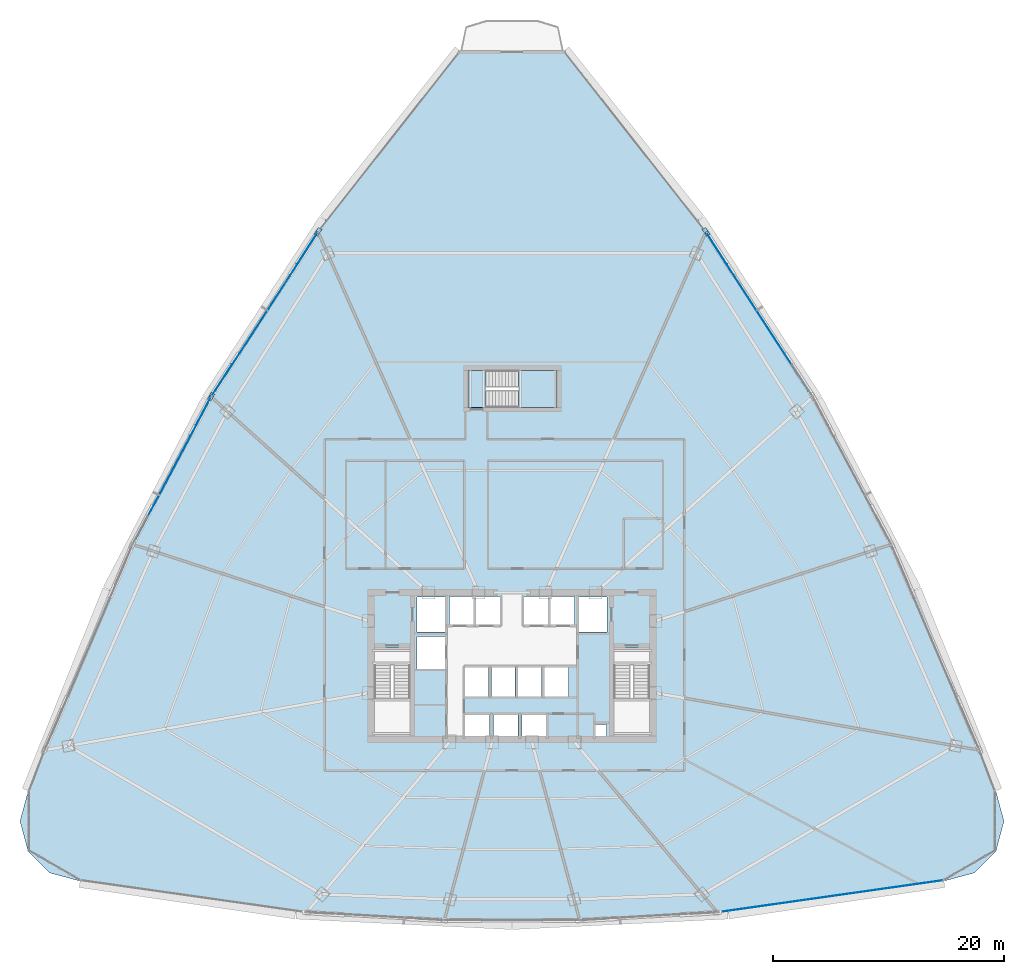
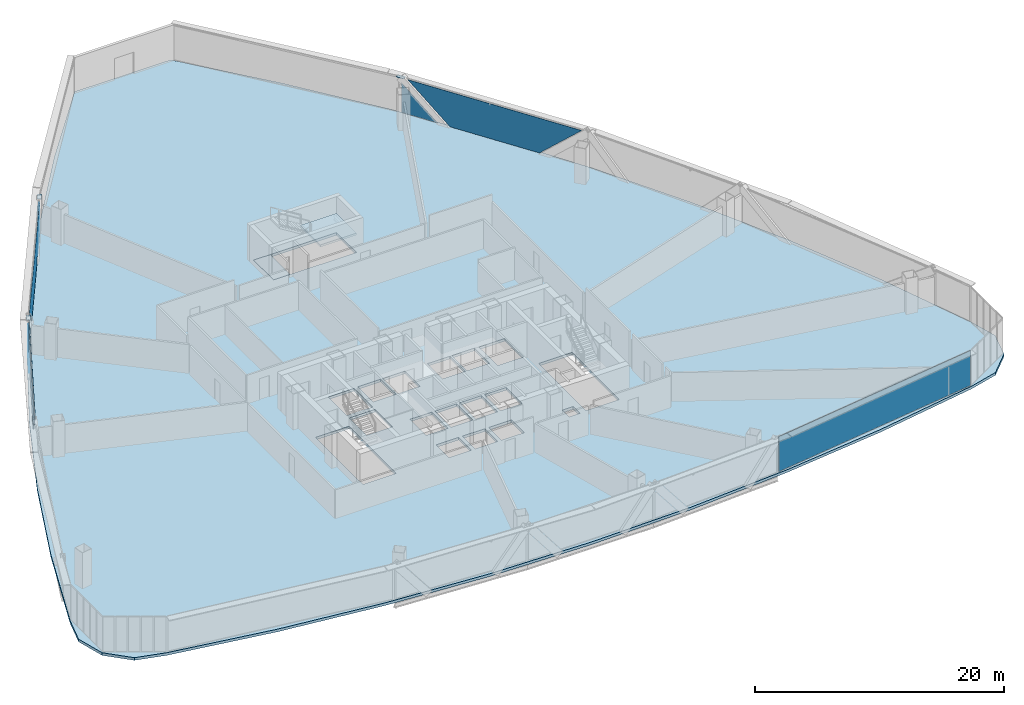
# One storey, part 29 of 39: 11 plates, 3 slabs, 5 elements without a shape of their own.
"""IFC4 building model written with IfcOpenShell, lengths in metres."""

from ifc_helpers import new_model, si_unit, direction, frame, origin, origin_2d, place, context, subcontext, project, spatial, polyline, rectangle, outline, extrude, source, transform, mapped, material, layer, layer_set, type_object, element, aggregate, save


model = new_model("IFC4")

# Units and contexts
model_context = context("Model", 3, precision=1e-05, world=origin(), true_north=direction((0.0, 1.0)))
body_context = subcontext(model_context, "Body", "Model", "MODEL_VIEW")
ifc_project = project(units=[si_unit("LENGTHUNIT", "METRE"), si_unit("AREAUNIT", "SQUARE_METRE"), si_unit("VOLUMEUNIT", "CUBIC_METRE"), si_unit("PLANEANGLEUNIT", "RADIAN"), si_unit("MASSUNIT", "GRAM", prefix="KILO"), si_unit("THERMODYNAMICTEMPERATUREUNIT", "KELVIN"), si_unit("POWERUNIT", "WATT")], contexts=[model_context])

# Site, building, storey
site_placement = place(None, origin())
site = spatial("IfcSite", under=ifc_project, at=site_placement, CompositionType="ELEMENT")
building_placement = place(site_placement, origin())
building = spatial("IfcBuilding", under=site, at=building_placement, Name="Yunzhuo Pagoda Commons", CompositionType="ELEMENT")
storey_placement = place(building_placement, frame((0.0, 0.0, 92.580078125)))
storey = spatial("IfcBuildingStorey", under=building, at=storey_placement, Name="L23", CompositionType="ELEMENT", Elevation=92.580078125)

# Curtain wall, plates
ifc_material_1 = material(Name="Anodized aluminium 6063-T6", Category="aluminium")
ifc_layer_1 = layer(ifc_material_1, 0.1650390625)
ifc_layer_set_1 = layer_set([ifc_layer_1], Name="Anodized aluminium 6063-T6")
curtain_wall_type = type_object("IfcCurtainWallType", Name="CW-LOW Low-Zone Ribbon Curtain Wall", PredefinedType="NOTDEFINED", material=ifc_layer_set_1)
curtain_wall_1_placement = place(storey_placement, origin())
curtain_wall_1 = element("IfcCurtainWall", 1, at=curtain_wall_1_placement, inside=storey, type_object=curtain_wall_type, Name="L23 curtain wall CW-L23-F2B4", PredefinedType="NOTDEFINED")
ifc_material_2 = material(Name="Tempered low-e double glazing", Category="glass")
ifc_layer_2 = layer(ifc_material_2, 0.028076171875)
ifc_layer_set_2 = layer_set([ifc_layer_2], Name="Tempered low-e double glazing")
plate_type_1 = type_object("IfcPlateType", Name="CW-LOW-P Low-E Double Glazing 28", PredefinedType="CURTAIN_PANEL", material=ifc_layer_set_2)
plate_1_placement = place(storey_placement, frame((69.353515625, 64.219482421875, 1.77001953125), z_axis=(0.838972259493, 0.544174188841, 0.0), x_axis=(-0.544174188841, 0.838972259493, 0.0)))
plate_1 = element("IfcPlate", 2, at=plate_1_placement, type_object=plate_type_1, Name="CW panel 1.1 lite 2", PredefinedType="CURTAIN_PANEL", context=body_context, shape_type="SweptSolid", body=[
    extrude(outline(polyline([(-7.853515625, 1.7099609375), (-4.032958984375, -1.7099609375), (4.032958984375, -1.7099609375), (7.853515625, 1.7099609375), (-7.853515625, 1.7099609375)])), origin(), (0.0, 0.0, 1.0), 0.028076171875),
])
plate_2_placement = place(storey_placement, frame((65.678955078125, 69.93994140625, 1.515869140625), z_axis=(0.838972259493, 0.544174188841, 0.0), x_axis=(-0.544174188841, 0.838972259493, 0.0)))
plate_2 = element("IfcPlate", 3, at=plate_2_placement, type_object=plate_type_1, Name="CW panel 1.1 lite 3", PredefinedType="CURTAIN_PANEL", context=body_context, shape_type="SweptSolid", body=[
    extrude(outline(polyline([(-1.62646484375, -1.455810546875), (1.62646484375, -1.455810546875), (1.62646484375, 1.455810546875), (-1.62646484375, -1.455810546875)])), origin(), (0.0, 0.0, 1.0), 0.028076171875),
])
aggregate(curtain_wall_1, [plate_1, plate_2])

curtain_wall_2_placement = place(storey_placement, origin())
curtain_wall_2 = element("IfcCurtainWall", 4, at=curtain_wall_2_placement, inside=storey, type_object=curtain_wall_type, Name="L23 curtain wall CW-L23-F3B2", PredefinedType="NOTDEFINED")
plate_3_placement = place(storey_placement, frame((30.321044921875, 69.93994140625, 1.515869140625), z_axis=(-0.838972259493, 0.544174188841, 0.0), x_axis=(-0.544174188841, -0.838972259493, 0.0)))
plate_3 = element("IfcPlate", 5, at=plate_3_placement, type_object=plate_type_1, Name="CW panel 1.1 lite 1", PredefinedType="CURTAIN_PANEL", context=body_context, shape_type="SweptSolid", body=[
    extrude(outline(polyline([(-1.62646484375, -1.455810546875), (1.62646484375, -1.455810546875), (-1.62646484375, 1.455810546875), (-1.62646484375, -1.455810546875)])), origin(), (0.0, 0.0, 1.0), 0.028076171875),
])
plate_4_placement = place(storey_placement, frame((26.646484375, 64.219482421875, 1.77001953125), z_axis=(-0.838972259493, 0.544174188841, 0.0), x_axis=(-0.544174188841, -0.838972259493, 0.0)))
plate_4 = element("IfcPlate", 6, at=plate_4_placement, type_object=plate_type_1, Name="CW panel 1.1 lite 2", PredefinedType="CURTAIN_PANEL", context=body_context, shape_type="SweptSolid", body=[
    extrude(outline(polyline([(-7.853515625, 1.7099609375), (-4.032958984375, -1.7099609375), (4.032958984375, -1.7099609375), (7.853515625, 1.7099609375), (-7.853515625, 1.7099609375)])), origin(), (0.0, 0.0, 1.0), 0.028076171875),
])
plate_5_placement = place(storey_placement, frame((22.921630859375, 58.53173828125, 1.515869140625), z_axis=(-0.838972259493, 0.544174188841, 0.0), x_axis=(-0.544174188841, -0.838972259493, 0.0)))
plate_5 = element("IfcPlate", 7, at=plate_5_placement, type_object=plate_type_1, Name="CW panel 1.1 lite 3", PredefinedType="CURTAIN_PANEL", context=body_context, shape_type="SweptSolid", body=[
    extrude(outline(polyline([(-1.62646484375, -1.455810546875), (1.62646484375, -1.455810546875), (1.62646484375, 1.455810546875), (-1.62646484375, -1.455810546875)])), origin(), (0.0, 0.0, 1.0), 0.028076171875),
])
aggregate(curtain_wall_2, [plate_3, plate_4, plate_5])

curtain_wall_3_placement = place(storey_placement, origin())
curtain_wall_3 = element("IfcCurtainWall", 8, at=curtain_wall_3_placement, inside=storey, type_object=curtain_wall_type, Name="L23 curtain wall CW-L23-F3B3", PredefinedType="NOTDEFINED")
plate_6_placement = place(storey_placement, frame((21.332763671875, 55.855224609375, 1.489990234375), z_axis=(-0.882975865639, 0.469418385558, 0.0), x_axis=(-0.469418385558, -0.882975865639, 0.0)))
plate_6 = element("IfcPlate", 9, at=plate_6_placement, type_object=plate_type_1, Name="CW panel 1.1 lite 1", PredefinedType="CURTAIN_PANEL", context=body_context, shape_type="SweptSolid", body=[
    extrude(outline(polyline([(-1.360107421875, -1.43017578125), (1.360107421875, -1.43017578125), (-1.360107421875, 1.43017578125), (-1.360107421875, -1.43017578125)])), origin(), (0.0, 0.0, 1.0), 0.028076171875),
])
plate_7_placement = place(storey_placement, frame((18.63525390625, 50.717529296875, 1.77001953125), z_axis=(-0.882975865639, 0.469418385558, 0.0), x_axis=(-0.469418385558, -0.882975865639, 0.0)))
plate_7 = element("IfcPlate", 10, at=plate_7_placement, type_object=plate_type_1, Name="CW panel 1.1 lite 2", PredefinedType="CURTAIN_PANEL", context=body_context, shape_type="SweptSolid", body=[
    extrude(outline(polyline([(-6.646240234375, 1.7099609375), (-3.393798828125, -1.7099609375), (3.393798828125, -1.7099609375), (6.646240234375, 1.7099609375), (-6.646240234375, 1.7099609375)])), origin(), (0.0, 0.0, 1.0), 0.028076171875),
])
aggregate(curtain_wall_3, [plate_6, plate_7])

# Stair, slabs
ifc_material_3 = material(Name="Concrete C40", Category="concrete")
stair_type = type_object("IfcStairType", Name="ST-C3 North Tower Smokeproof Stair ST3", PredefinedType="HALF_TURN_STAIR", material=ifc_material_3)
stair_placement = place(storey_placement, origin())
stair = element("IfcStair", 11, at=stair_placement, inside=storey, type_object=stair_type, Name="L23 North tower smokeproof stair ST3", PredefinedType="HALF_TURN_STAIR")
ifc_layer_3 = layer(ifc_material_3, 0.2041015625)
ifc_layer_set_3 = layer_set([ifc_layer_3], Name="Concrete C40")
slab_type_1 = type_object("IfcSlabType", Name="SL-LND5 North Landing Slab 204", PredefinedType="LANDING", material=ifc_layer_set_3)
slab_1_placement = place(storey_placement, frame((0.0, 0.0, 1.699951171875)))
slab_1 = element("IfcSlab", 12, at=slab_1_placement, type_object=slab_type_1, Name="ST3 landing 1", PredefinedType="LANDING", context=body_context, shape_type="SweptSolid", body=[
    extrude(outline(polyline([(48.550048828125, 56.199951171875), (51.89990234375, 56.199951171875), (51.89990234375, 59.39990234375), (48.550048828125, 59.39990234375), (48.550048828125, 56.199951171875)])), origin(), (0.0, 0.0, 1.0), 0.199951171875),
])
slab_2_placement = place(storey_placement, frame((0.0, 0.0, -0.2001953125)))
slab_2 = element("IfcSlab", 13, at=slab_2_placement, type_object=slab_type_1, Name="ST3 floor landing L23", PredefinedType="LANDING", context=body_context, shape_type="SweptSolid", body=[
    extrude(outline(polyline([(44.199951171875, 56.199951171875), (45.75, 56.199951171875), (45.75, 59.39990234375), (44.199951171875, 59.39990234375), (44.199951171875, 56.199951171875)])), origin(), (0.0, 0.0, 1.0), 0.2001953125),
])
aggregate(stair, [slab_1, slab_2])

# Slab
ifc_layer_4 = layer(ifc_material_3, 0.260009765625)
ifc_layer_set_4 = layer_set([ifc_layer_4], Name="Concrete C40")
slab_type_2 = type_object("IfcSlabType", Name="SL-TWR Typical Tower Floor Slab 260", PredefinedType="FLOOR", material=ifc_layer_set_4)
slab_3_placement = place(storey_placement, frame((0.0, 0.0, -0.260009765625)))
element("IfcSlab", 14, at=slab_3_placement, inside=storey, type_object=slab_type_2, Name="L23 structural floor slab", PredefinedType="FLOOR", context=body_context, shape_type="SweptSolid", body=[
    extrude(outline(polyline([(9.473388671875, 31.834716796875), (13.162109375, 40.407958984375), (17.243408203125, 48.751953125), (21.71728515625, 56.86669921875), (26.58349609375, 64.75244140625), (31.84228515625, 72.408935546875), (37.49365234375, 79.83642578125), (43.53759765625, 87.034912109375), (52.46240234375, 87.034912109375), (58.50634765625, 79.83642578125), (64.15771484375, 72.408935546875), (69.41650390625, 64.75244140625), (74.28271484375, 56.86669921875), (78.756591796875, 48.751953125), (82.837890625, 40.407958984375), (86.526611328125, 31.834716796875), (89.82275390625, 23.03271484375), (90.52734375, 20.4462890625), (89.84130859375, 17.85498046875), (87.94921875, 15.9560546875), (85.3603515625, 15.2607421875), (76.020263671875, 13.669921875), (66.68017578125, 12.53369140625), (57.340087890625, 11.851806640625), (48.0, 11.624755859375), (38.659912109375, 11.851806640625), (29.31982421875, 12.53369140625), (19.979736328125, 13.669921875), (10.6396484375, 15.2607421875), (8.05078125, 15.9560546875), (6.15869140625, 17.85498046875), (5.47265625, 20.4462890625), (6.17724609375, 23.03271484375), (9.473388671875, 31.834716796875)]), holes=[polyline([(46.050048828125, 27.60009765625), (46.050048828125, 29.64990234375), (43.949951171875, 29.64990234375), (43.949951171875, 27.60009765625), (46.050048828125, 27.60009765625)]), polyline([(48.5, 27.60009765625), (48.5, 29.64990234375), (46.39990234375, 29.64990234375), (46.39990234375, 27.60009765625), (48.5, 27.60009765625)]), polyline([(36.10009765625, 27.800048828125), (39.199951171875, 27.800048828125), (39.199951171875, 35.39990234375), (36.10009765625, 35.39990234375), (36.10009765625, 27.800048828125)]), polyline([(45.969970703125, 31.199951171875), (45.969970703125, 33.800048828125), (43.929931640625, 33.800048828125), (43.929931640625, 31.199951171875), (45.969970703125, 31.199951171875)]), polyline([(48.27001953125, 31.199951171875), (48.27001953125, 33.800048828125), (46.22998046875, 33.800048828125), (46.22998046875, 31.199951171875), (48.27001953125, 31.199951171875)]), polyline([(42.199951171875, 33.60009765625), (42.199951171875, 36.39990234375), (39.800048828125, 36.39990234375), (39.800048828125, 33.60009765625), (42.199951171875, 33.60009765625)]), polyline([(42.199951171875, 36.800048828125), (42.199951171875, 39.800048828125), (39.800048828125, 39.800048828125), (39.800048828125, 36.800048828125), (42.199951171875, 36.800048828125)]), polyline([(42.60009765625, 37.39990234375), (44.699951171875, 37.39990234375), (44.699951171875, 39.85009765625), (42.60009765625, 39.85009765625), (42.60009765625, 37.39990234375)]), polyline([(44.85009765625, 37.39990234375), (46.949951171875, 37.39990234375), (46.949951171875, 39.85009765625), (44.85009765625, 39.85009765625), (44.85009765625, 37.39990234375)]), polyline([(56.179931640625, 27.699951171875), (56.179931640625, 28.800048828125), (55.179931640625, 28.800048828125), (55.179931640625, 27.699951171875), (56.179931640625, 27.699951171875)]), polyline([(50.949951171875, 27.60009765625), (50.949951171875, 29.64990234375), (48.85009765625, 29.64990234375), (48.85009765625, 27.60009765625), (50.949951171875, 27.60009765625)]), polyline([(56.800048828125, 27.800048828125), (59.89990234375, 27.800048828125), (59.89990234375, 35.39990234375), (56.800048828125, 35.39990234375), (56.800048828125, 27.800048828125)]), polyline([(50.570068359375, 31.199951171875), (50.570068359375, 33.800048828125), (48.530029296875, 33.800048828125), (48.530029296875, 31.199951171875), (50.570068359375, 31.199951171875)]), polyline([(52.8701171875, 31.199951171875), (52.8701171875, 33.800048828125), (50.830078125, 33.800048828125), (50.830078125, 31.199951171875), (52.8701171875, 31.199951171875)]), polyline([(56.199951171875, 36.800048828125), (56.199951171875, 39.800048828125), (53.800048828125, 39.800048828125), (53.800048828125, 36.800048828125), (56.199951171875, 36.800048828125)]), polyline([(51.14990234375, 37.39990234375), (51.14990234375, 39.85009765625), (49.050048828125, 39.85009765625), (49.050048828125, 37.39990234375), (51.14990234375, 37.39990234375)]), polyline([(51.300048828125, 37.39990234375), (53.39990234375, 37.39990234375), (53.39990234375, 39.85009765625), (51.300048828125, 39.85009765625), (51.300048828125, 37.39990234375)]), polyline([(44.199951171875, 56.199951171875), (51.89990234375, 56.199951171875), (51.89990234375, 59.39990234375), (44.199951171875, 59.39990234375), (44.199951171875, 56.199951171875)])]), origin(), (0.0, 0.0, 1.0), 0.260009765625),
])

# Plates
ifc_material_4 = material(Name="Structural steel Q355B", Category="steel")
ifc_layer_5 = layer(ifc_material_4, 0.028076171875)
ifc_layer_set_5 = layer_set([ifc_layer_5], Name="Structural steel Q355B")
plate_type_2 = type_object("IfcPlateType", Name="SP-ND1 Lattice Node Cap Plate 800x500x28", PredefinedType="USERDEFINED", material=ifc_layer_set_5)
shared_shape_1 = source(origin(), body_context, "Body", "SweptSolid", [
    extrude(rectangle(XDim=0.699951171875, YDim=0.35009765625, at=origin_2d()), origin(), (0.0, 0.0, 1.0), 0.035888671875),
])
for number, where, z_axis, x_axis, name in (
    (15, (64.770263671875, 71.366455078125, 3.501953125), (0.0, 0.0, 1.0), (-0.544170548087, 0.838974620948, 0.0), "L23 setback lattice tie plate F2.3R"),
    (16, (31.229736328125, 71.366455078125, 3.501953125), (0.0, 0.0, 1.0), (-0.544170548087, -0.838974620948, 0.0), "L23 setback lattice tie plate F3.1L"),
    (17, (21.9892578125, 57.1201171875, 3.501953125), (0.0, 0.0, 1.0), (-0.469425331115, -0.882972173122, 0.0), "L23 setback lattice tie plate F3.2L"),
):
    element("IfcPlate", number, at=place(storey_placement, frame(where, z_axis=z_axis, x_axis=x_axis)), inside=storey, type_object=plate_type_2, Name=name, ObjectType="STIFFENER_PLATE", PredefinedType="USERDEFINED", context=body_context, shape_type="MappedRepresentation", body=[
        mapped(shared_shape_1, transform((0.0, 0.0, 0.0), scale=1.0)),
    ])

# Curtain wall, plate
curtain_wall_4_placement = place(storey_placement, origin())
curtain_wall_4 = element("IfcCurtainWall", 18, at=curtain_wall_4_placement, inside=storey, type_object=curtain_wall_type, Name="L23 curtain wall CW-L23-F1B5", PredefinedType="NOTDEFINED")
shared_shape_2 = source(origin(), body_context, "Body", "SweptSolid", [
    extrude(rectangle(XDim=19.5625, YDim=0.028076171875, at=origin_2d()), origin(), (0.0, 0.0, 1.0), 3.419921875),
])
plate_8_placement = place(storey_placement, frame((75.572021484375, 13.94384765625, 0.06005859375), z_axis=(0.0, 0.0, 1.0), x_axis=(0.990041803855, 0.140773671614, 0.0)))
plate_8 = element("IfcPlate", 19, at=plate_8_placement, type_object=plate_type_1, Name="CW panel 1.1", PredefinedType="CURTAIN_PANEL", context=body_context, shape_type="MappedRepresentation", body=[
    mapped(shared_shape_2, transform((0.0, 0.0, 0.0), scale=1.0)),
])
aggregate(curtain_wall_4, [plate_8])

save(model, "model.ifc")
